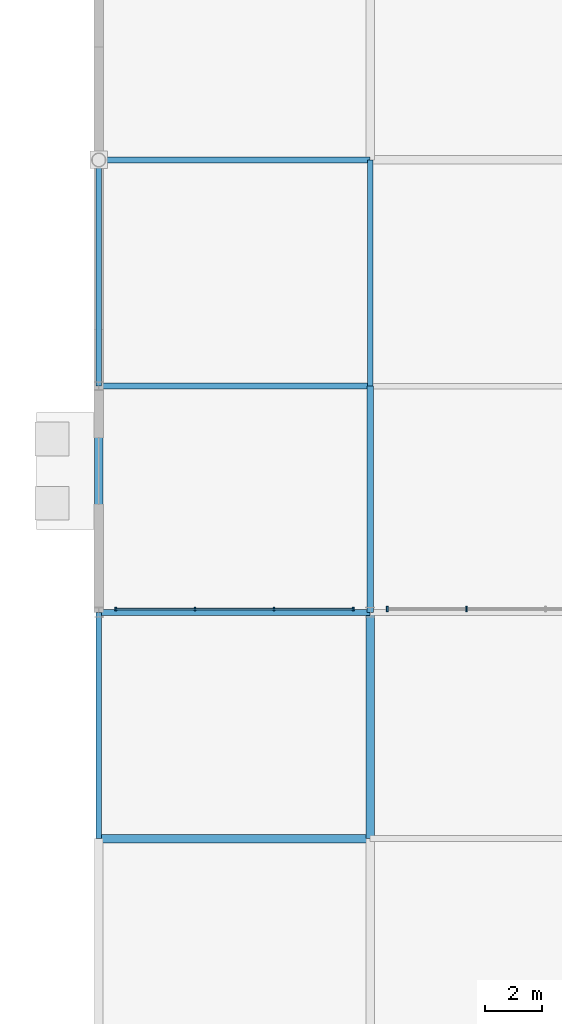
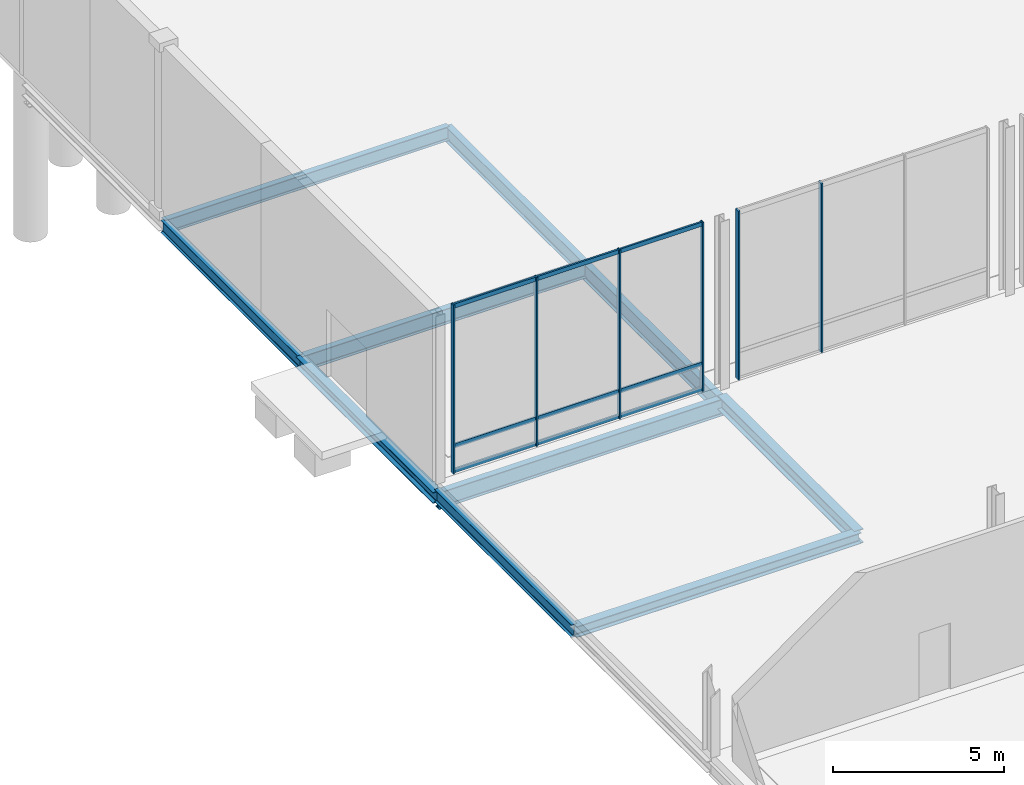
# One storey, part 55 of 124: 10 beams, 9 members, 2 elements without a shape of their own.
"""IFC4 building model written with IfcOpenShell, lengths in metres."""

from ifc_helpers import new_model, si_unit, direction, frame, origin, origin_2d, place, context, subcontext, project, spatial, rectangle, i_section, extrude, material, material_profile, profile_set, type_object, element, aggregate, save


model = new_model("IFC4")

# Units and contexts
model_context = context("Model", 3, precision=1e-05, world=origin(), true_north=direction((0.0, 1.0)))
body_context = subcontext(model_context, "Body", "Model", "MODEL_VIEW")
ifc_project = project(units=[si_unit("LENGTHUNIT", "METRE"), si_unit("AREAUNIT", "SQUARE_METRE"), si_unit("VOLUMEUNIT", "CUBIC_METRE"), si_unit("PLANEANGLEUNIT", "RADIAN"), si_unit("MASSUNIT", "GRAM", prefix="KILO")], contexts=[model_context])

# Site, building, storey
site_placement = place(None, origin())
site = spatial("IfcSite", under=ifc_project, at=site_placement, CompositionType="ELEMENT")
building_placement = place(site_placement, origin())
building = spatial("IfcBuilding", under=site, at=building_placement, Name="Danafjord Basin Convention Centre", CompositionType="ELEMENT")
storey_placement = place(building_placement, origin())
storey = spatial("IfcBuildingStorey", under=building, at=storey_placement, Name="L00", CompositionType="ELEMENT", Elevation=0.0)

# Beams
ifc_material_1 = material(Name="Steel S355", Category="steel")
ifc_material_profile_1 = material_profile(ifc_material_1, i_section(OverallWidth=0.300048828125, OverallDepth=0.389892578125, WebThickness=0.010986328125, FlangeThickness=0.01904296875, FilletRadius=0.027099609375, at=origin_2d()), Name="HEA 400")
ifc_profile_set_1 = profile_set([ifc_material_profile_1], Name="Steel S355")
beam_type_1 = type_object("IfcBeamType", Name="BEAM-BM-HEA400", PredefinedType="BEAM", material=ifc_profile_set_1)
beam_1_placement = place(storey_placement, frame((144.0, 32.0, -0.47509765625), z_axis=(1.0, 0.0, 0.0), x_axis=(0.0, 1.0, 0.0)))
element("IfcBeam", 1, at=beam_1_placement, inside=storey, type_object=beam_type_1, Name="L00 girder BM-HEA400", PredefinedType="BEAM", context=body_context, shape_type="SweptSolid", body=[
    extrude(i_section(OverallWidth=0.300048828125, OverallDepth=0.389892578125, WebThickness=0.010986328125, FlangeThickness=0.01904296875, FilletRadius=0.027099609375, at=origin_2d()), origin(), (0.0, 0.0, 1.0), 9.60009765625),
])
ifc_material_profile_2 = material_profile(ifc_material_1, i_section(OverallWidth=0.300048828125, OverallDepth=0.5, WebThickness=0.014404296875, FlangeThickness=0.028076171875, FilletRadius=0.027099609375, at=origin_2d()), Name="HEB 500")
ifc_profile_set_2 = profile_set([ifc_material_profile_2], Name="Steel S355")
beam_type_2 = type_object("IfcBeamType", Name="BEAM-BM-HEB500", PredefinedType="BEAM", material=ifc_profile_set_2)
beam_2_placement = place(storey_placement, frame((153.60009765625, 32.0, -0.530029296875), z_axis=(0.0, 1.0, 0.0), x_axis=(-1.0, 0.0, 0.0)))
element("IfcBeam", 2, at=beam_2_placement, inside=storey, type_object=beam_type_2, Name="L00 transverse girder BM-HEB500", PredefinedType="BEAM", context=body_context, shape_type="SweptSolid", body=[
    extrude(i_section(OverallWidth=0.300048828125, OverallDepth=0.5, WebThickness=0.014404296875, FlangeThickness=0.028076171875, FilletRadius=0.027099609375, at=origin_2d()), origin(), (0.0, 0.0, 1.0), 8.0),
])
ifc_material_profile_3 = material_profile(ifc_material_1, i_section(OverallWidth=0.199951171875, OverallDepth=0.5, WebThickness=0.01025390625, FlangeThickness=0.01611328125, FilletRadius=0.02099609375, at=origin_2d()), Name="IPE 500")
ifc_profile_set_3 = profile_set([ifc_material_profile_3], Name="Steel S355")
beam_type_3 = type_object("IfcBeamType", Name="BEAM-BM-IPE500", PredefinedType="BEAM", material=ifc_profile_set_3)
beam_3_placement = place(storey_placement, frame((144.0, 56.0, -0.6298828125), z_axis=(1.0, 0.0, 0.0), x_axis=(0.0, 1.0, 0.0)))
element("IfcBeam", 3, at=beam_3_placement, inside=storey, type_object=beam_type_3, Name="L00 girder BM-IPE500", PredefinedType="BEAM", context=body_context, shape_type="SweptSolid", body=[
    extrude(i_section(OverallWidth=0.199951171875, OverallDepth=0.5, WebThickness=0.01025390625, FlangeThickness=0.01611328125, FilletRadius=0.02099609375, at=origin_2d()), origin(), (0.0, 0.0, 1.0), 9.60009765625),
])
ifc_material_profile_4 = material_profile(ifc_material_1, i_section(OverallWidth=0.2099609375, OverallDepth=0.550048828125, WebThickness=0.010986328125, FlangeThickness=0.01708984375, FilletRadius=0.02392578125, at=origin_2d()), Name="IPE 550")
ifc_profile_set_4 = profile_set([ifc_material_profile_4], Name="Steel S355")
beam_type_4 = type_object("IfcBeamType", Name="BEAM-BM-IPE550", PredefinedType="BEAM", material=ifc_profile_set_4)
beam_4_placement = place(storey_placement, frame((144.0, 48.0, -0.655029296875), z_axis=(1.0, 0.0, 0.0), x_axis=(0.0, 1.0, 0.0)))
element("IfcBeam", 4, at=beam_4_placement, inside=storey, type_object=beam_type_4, Name="L00 girder BM-IPE550", PredefinedType="BEAM", context=body_context, shape_type="SweptSolid", body=[
    extrude(i_section(OverallWidth=0.2099609375, OverallDepth=0.550048828125, WebThickness=0.010986328125, FlangeThickness=0.01708984375, FilletRadius=0.02392578125, at=origin_2d()), origin(), (0.0, 0.0, 1.0), 9.60009765625),
])
beam_5_placement = place(storey_placement, frame((153.60009765625, 48.0, -0.655029296875), z_axis=(0.0, 1.0, 0.0), x_axis=(-1.0, 0.0, 0.0)))
element("IfcBeam", 5, at=beam_5_placement, inside=storey, type_object=beam_type_4, Name="L00 transverse girder BM-IPE550", PredefinedType="BEAM", context=body_context, shape_type="SweptSolid", body=[
    extrude(i_section(OverallWidth=0.2099609375, OverallDepth=0.550048828125, WebThickness=0.010986328125, FlangeThickness=0.01708984375, FilletRadius=0.02392578125, at=origin_2d()), origin(), (0.0, 0.0, 1.0), 8.0),
])
ifc_material_profile_5 = material_profile(ifc_material_1, i_section(OverallWidth=0.219970703125, OverallDepth=0.60009765625, WebThickness=0.011962890625, FlangeThickness=0.01904296875, FilletRadius=0.02392578125, at=origin_2d()), Name="IPE 600")
ifc_profile_set_5 = profile_set([ifc_material_profile_5], Name="Steel S355")
beam_type_5 = type_object("IfcBeamType", Name="BEAM-BM-IPE600", PredefinedType="BEAM", material=ifc_profile_set_5)
beam_6_placement = place(storey_placement, frame((144.0, 40.0, -0.679931640625), z_axis=(1.0, 0.0, 0.0), x_axis=(0.0, 1.0, 0.0)))
element("IfcBeam", 6, at=beam_6_placement, inside=storey, type_object=beam_type_5, Name="L00 girder BM-IPE600", PredefinedType="BEAM", context=body_context, shape_type="SweptSolid", body=[
    extrude(i_section(OverallWidth=0.219970703125, OverallDepth=0.60009765625, WebThickness=0.011962890625, FlangeThickness=0.01904296875, FilletRadius=0.02392578125, at=origin_2d()), origin(), (0.0, 0.0, 1.0), 9.60009765625),
])
beam_7_placement = place(storey_placement, frame((153.60009765625, 40.0, -0.679931640625), z_axis=(0.0, 1.0, 0.0), x_axis=(-1.0, 0.0, 0.0)))
element("IfcBeam", 7, at=beam_7_placement, inside=storey, type_object=beam_type_5, Name="L00 transverse girder BM-IPE600", PredefinedType="BEAM", context=body_context, shape_type="SweptSolid", body=[
    extrude(i_section(OverallWidth=0.219970703125, OverallDepth=0.60009765625, WebThickness=0.011962890625, FlangeThickness=0.01904296875, FilletRadius=0.02392578125, at=origin_2d()), origin(), (0.0, 0.0, 1.0), 8.0),
])
ifc_material_profile_6 = material_profile(ifc_material_1, i_section(OverallWidth=0.300048828125, OverallDepth=0.39990234375, WebThickness=0.013427734375, FlangeThickness=0.02392578125, FilletRadius=0.027099609375, at=origin_2d()), Name="HEB 400")
ifc_profile_set_6 = profile_set([ifc_material_profile_6], Name="Steel S355")
beam_type_6 = type_object("IfcBeamType", Name="BEAM-SP-HEB400", PredefinedType="SPANDREL", material=ifc_profile_set_6)
beam_8_placement = place(storey_placement, frame((144.0, 40.0, -0.580078125), z_axis=(0.0, 1.0, 0.0), x_axis=(-1.0, 0.0, 0.0)))
element("IfcBeam", 8, at=beam_8_placement, inside=storey, type_object=beam_type_6, Name="L00 transverse girder SP-HEB400", PredefinedType="SPANDREL", context=body_context, shape_type="SweptSolid", body=[
    extrude(i_section(OverallWidth=0.300048828125, OverallDepth=0.39990234375, WebThickness=0.013427734375, FlangeThickness=0.02392578125, FilletRadius=0.027099609375, at=origin_2d()), origin(), (0.0, 0.0, 1.0), 8.0),
])
ifc_material_profile_7 = material_profile(ifc_material_1, i_section(OverallWidth=0.18994140625, OverallDepth=0.449951171875, WebThickness=0.009521484375, FlangeThickness=0.0146484375, FilletRadius=0.02099609375, at=origin_2d()), Name="IPE 450")
ifc_profile_set_7 = profile_set([ifc_material_profile_7], Name="Steel S355")
beam_type_7 = type_object("IfcBeamType", Name="BEAM-SP-IPE450", PredefinedType="SPANDREL", material=ifc_profile_set_7)
for number, where, z_axis, x_axis, name in (
    (9, (144.0, 32.0, -0.5048828125), (0.0, 1.0, 0.0), (-1.0, 0.0, 0.0), "L00 transverse girder SP-IPE450"),
    (10, (144.0, 48.0, -0.60498046875), (0.0, 1.0, 0.0), (-1.0, 0.0, 0.0), "L00 transverse girder SP-IPE450"),
):
    element("IfcBeam", number, at=place(storey_placement, frame(where, z_axis=z_axis, x_axis=x_axis)), inside=storey, type_object=beam_type_7, Name=name, PredefinedType="SPANDREL", context=body_context, shape_type="SweptSolid", body=[
        extrude(i_section(OverallWidth=0.18994140625, OverallDepth=0.449951171875, WebThickness=0.009521484375, FlangeThickness=0.0146484375, FilletRadius=0.02099609375, at=origin_2d()), origin(), (0.0, 0.0, 1.0), 8.0),
    ])

# Curtain wall, members
ifc_material_2 = material(Name="Anodised aluminium and triple glazing", Category="aluminium")
curtain_wall_type = type_object("IfcCurtainWallType", Name="CW-CW-HARB", PredefinedType="NOTDEFINED", material=ifc_material_2)
curtain_wall_1_placement = place(storey_placement, origin())
curtain_wall_1 = element("IfcCurtainWall", 11, at=curtain_wall_1_placement, inside=storey, type_object=curtain_wall_type, Name="L00 CW-HARB unitised curtain wall bay 130", PredefinedType="NOTDEFINED")
ifc_material_3 = material(Name="Anodised aluminium EN AW-6060", Category="aluminium")
ifc_material_profile_8 = material_profile(ifc_material_3, rectangle(XDim=0.06005859375, YDim=0.139892578125, at=origin_2d()), Name="MULL 60x140")
ifc_profile_set_8 = profile_set([ifc_material_profile_8], Name="Anodised aluminium EN AW-6060")
member_type_1 = type_object("IfcMemberType", Name="MEM-ML-140", PredefinedType="MULLION", material=ifc_profile_set_8)
member_1_placement = place(storey_placement, frame((144.60009765625, 40.1201171875, -0.02490234375), z_axis=(0.0, 0.0, 1.0), x_axis=(1.0, 0.0, 0.0)))
member_1 = element("IfcMember", 12, at=member_1_placement, type_object=member_type_1, Name="CW-L00-130 mullion 1", PredefinedType="MULLION", context=body_context, shape_type="SweptSolid", body=[
    extrude(rectangle(XDim=0.06005859375, YDim=0.139892578125, at=origin_2d()), origin(), (0.0, 0.0, 1.0), 6.034912109375),
])
member_2_placement = place(storey_placement, frame((147.39990234375, 40.1201171875, -0.02490234375), z_axis=(0.0, 0.0, 1.0), x_axis=(1.0, 0.0, 0.0)))
member_2 = element("IfcMember", 13, at=member_2_placement, type_object=member_type_1, Name="CW-L00-130 mullion 2", PredefinedType="MULLION", context=body_context, shape_type="SweptSolid", body=[
    extrude(rectangle(XDim=0.06005859375, YDim=0.139892578125, at=origin_2d()), origin(), (0.0, 0.0, 1.0), 6.034912109375),
])
member_3_placement = place(storey_placement, frame((150.199951171875, 40.1201171875, -0.02490234375), z_axis=(0.0, 0.0, 1.0), x_axis=(1.0, 0.0, 0.0)))
member_3 = element("IfcMember", 14, at=member_3_placement, type_object=member_type_1, Name="CW-L00-130 mullion 3", PredefinedType="MULLION", context=body_context, shape_type="SweptSolid", body=[
    extrude(rectangle(XDim=0.06005859375, YDim=0.139892578125, at=origin_2d()), origin(), (0.0, 0.0, 1.0), 6.034912109375),
])
member_4_placement = place(storey_placement, frame((153.0, 40.1201171875, -0.02490234375), z_axis=(0.0, 0.0, 1.0), x_axis=(1.0, 0.0, 0.0)))
member_4 = element("IfcMember", 15, at=member_4_placement, type_object=member_type_1, Name="CW-L00-130 mullion 4", PredefinedType="MULLION", context=body_context, shape_type="SweptSolid", body=[
    extrude(rectangle(XDim=0.06005859375, YDim=0.139892578125, at=origin_2d()), origin(), (0.0, 0.0, 1.0), 6.034912109375),
])

curtain_wall_2_placement = place(storey_placement, origin())
curtain_wall_2 = element("IfcCurtainWall", 16, at=curtain_wall_2_placement, inside=storey, type_object=curtain_wall_type, Name="L00 CW-HARB unitised curtain wall bay 131", PredefinedType="NOTDEFINED")
ifc_material_profile_9 = material_profile(ifc_material_3, rectangle(XDim=0.06005859375, YDim=0.179931640625, at=origin_2d()), Name="MULL 60x180")
ifc_profile_set_9 = profile_set([ifc_material_profile_9], Name="Anodised aluminium EN AW-6060")
member_type_2 = type_object("IfcMemberType", Name="MEM-ML-180", PredefinedType="MULLION", material=ifc_profile_set_9)
member_5_placement = place(storey_placement, frame((154.199951171875, 40.1201171875, -0.02490234375), z_axis=(0.0, 0.0, 1.0), x_axis=(1.0, 0.0, 0.0)))
member_5 = element("IfcMember", 17, at=member_5_placement, type_object=member_type_2, Name="CW-L00-131 mullion 1", PredefinedType="MULLION", context=body_context, shape_type="SweptSolid", body=[
    extrude(rectangle(XDim=0.06005859375, YDim=0.179931640625, at=origin_2d()), origin(), (0.0, 0.0, 1.0), 6.034912109375),
])
member_6_placement = place(storey_placement, frame((157.0, 40.1201171875, -0.02490234375), z_axis=(0.0, 0.0, 1.0), x_axis=(1.0, 0.0, 0.0)))
member_6 = element("IfcMember", 18, at=member_6_placement, type_object=member_type_2, Name="CW-L00-131 mullion 2", PredefinedType="MULLION", context=body_context, shape_type="SweptSolid", body=[
    extrude(rectangle(XDim=0.06005859375, YDim=0.179931640625, at=origin_2d()), origin(), (0.0, 0.0, 1.0), 6.034912109375),
])
aggregate(curtain_wall_2, [member_5, member_6])

# Member
ifc_material_profile_10 = material_profile(ifc_material_3, rectangle(XDim=0.06005859375, YDim=0.14990234375, at=origin_2d()), Name="TRAN 60x150")
ifc_profile_set_10 = profile_set([ifc_material_profile_10], Name="Anodised aluminium EN AW-6060")
member_type_3 = type_object("IfcMemberType", Name="MEM-TR-150", PredefinedType="USERDEFINED", material=ifc_profile_set_10)
member_7_placement = place(storey_placement, frame((144.60009765625, 40.1201171875, 0.06005859375), z_axis=(1.0, 0.0, 0.0), x_axis=(0.0, 1.0, 0.0)))
member_7 = element("IfcMember", 19, at=member_7_placement, type_object=member_type_3, Name="CW-L00-130 transom 1", ObjectType="TRANSOM", PredefinedType="USERDEFINED", context=body_context, shape_type="SweptSolid", body=[
    extrude(rectangle(XDim=0.06005859375, YDim=0.14990234375, at=origin_2d()), origin(), (0.0, 0.0, 1.0), 8.39990234375),
])

member_8_placement = place(storey_placement, frame((144.60009765625, 40.1201171875, 0.949951171875), z_axis=(1.0, 0.0, 0.0), x_axis=(0.0, 1.0, 0.0)))
member_8 = element("IfcMember", 20, at=member_8_placement, type_object=member_type_3, Name="CW-L00-130 transom 2", ObjectType="TRANSOM", PredefinedType="USERDEFINED", context=body_context, shape_type="SweptSolid", body=[
    extrude(rectangle(XDim=0.06005859375, YDim=0.14990234375, at=origin_2d()), origin(), (0.0, 0.0, 1.0), 8.39990234375),
])

member_9_placement = place(storey_placement, frame((144.60009765625, 40.1201171875, 5.93994140625), z_axis=(1.0, 0.0, 0.0), x_axis=(0.0, 1.0, 0.0)))
member_9 = element("IfcMember", 21, at=member_9_placement, type_object=member_type_3, Name="CW-L00-130 transom 3", ObjectType="TRANSOM", PredefinedType="USERDEFINED", context=body_context, shape_type="SweptSolid", body=[
    extrude(rectangle(XDim=0.06005859375, YDim=0.14990234375, at=origin_2d()), origin(), (0.0, 0.0, 1.0), 8.39990234375),
])

aggregate(curtain_wall_1, [member_1, member_2, member_3, member_4, member_7, member_8, member_9])

save(model, "model.ifc")
